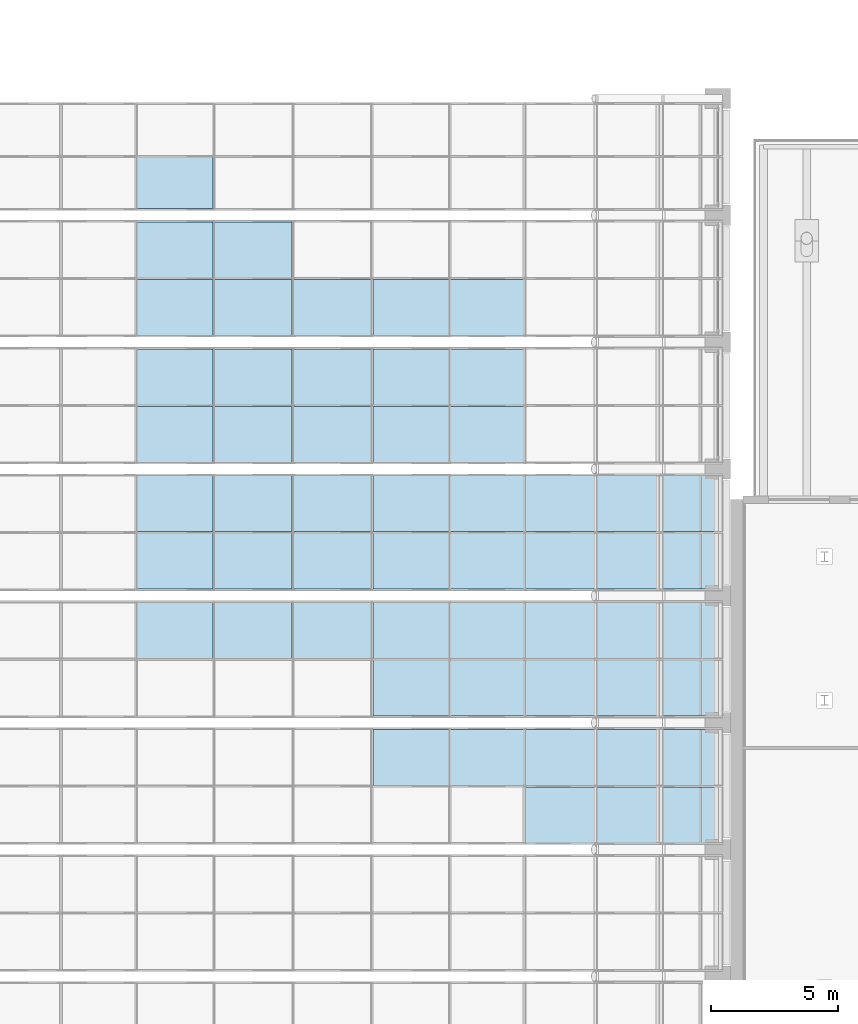
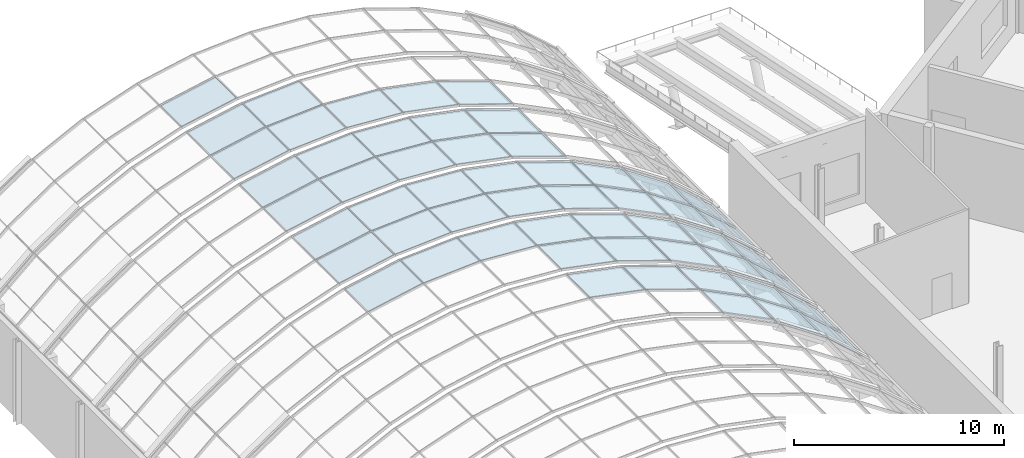
# One storey, part 116 of 182: 55 plates, 6 elements without a shape of their own.
"""IFC4 building model written with IfcOpenShell, lengths in metres."""

from ifc_helpers import new_model, si_unit, direction, frame, origin, place, context, subcontext, project, spatial, polyline, outline, extrude, material, layer, layer_set, type_object, element, aggregate, save


model = new_model("IFC4")

# Units and contexts
model_context = context("Model", 3, precision=1e-05, world=origin(), true_north=direction((0.0, 1.0)))
body_context = subcontext(model_context, "Body", "Model", "MODEL_VIEW")
ifc_project = project(units=[si_unit("LENGTHUNIT", "METRE"), si_unit("AREAUNIT", "SQUARE_METRE"), si_unit("VOLUMEUNIT", "CUBIC_METRE"), si_unit("PLANEANGLEUNIT", "RADIAN"), si_unit("MASSUNIT", "GRAM", prefix="KILO")], contexts=[model_context])

# Site, building, storey
site_placement = place(None, origin())
site = spatial("IfcSite", under=ifc_project, at=site_placement, CompositionType="ELEMENT")
building_placement = place(site_placement, origin())
building = spatial("IfcBuilding", under=site, at=building_placement, Name="Okhra Congress Centre", CompositionType="ELEMENT")
storey_placement = place(building_placement, frame((0.0, 0.0, 7.199951171875)))
storey = spatial("IfcBuildingStorey", under=building, at=storey_placement, Name="L01", CompositionType="ELEMENT", Elevation=7.199951171875)

# Curtain wall, plates
ifc_material_1 = material(Name="Aluminium frame with triple glazing", Category="aluminium")
curtain_wall_type = type_object("IfcCurtainWallType", Name="Glazed vault bay curtain wall", PredefinedType="NOTDEFINED", material=ifc_material_1)
curtain_wall_1_placement = place(storey_placement, origin())
curtain_wall_1 = element("IfcCurtainWall", 1, at=curtain_wall_1_placement, inside=storey, type_object=curtain_wall_type, Name="Vault glazing bay 23", PredefinedType="NOTDEFINED")
ifc_material_2 = material(Name="Laminated toughened glass unit, low-e coating", Category="glass")
ifc_layer_1 = layer(ifc_material_2, 0.035888671875)
ifc_layer_set_1 = layer_set([ifc_layer_1], Name="Laminated safety glazing unit 36 mm")
plate_type_1 = type_object("IfcPlateType", Name="Laminated safety glazing unit 36 mm", PredefinedType="CURTAIN_PANEL", material=ifc_layer_set_1)
plate_1_placement = place(storey_placement, frame((184.217529296875, 186.26318359375, 5.729248046875), z_axis=(0.55946738617, 0.0, 0.82885236551), x_axis=(0.82885236551, 0.0, -0.55946738617)))
plate_1 = element("IfcPlate", 2, at=plate_1_placement, type_object=plate_type_1, Name="Vault glass panel 23.1.11", PredefinedType="CURTAIN_PANEL", context=body_context, shape_type="SweptSolid", body=[
    extrude(outline(polyline([(0.0, 0.0), (3.0668817430899797, 0.0), (3.0668817430899797, 2.206787109375), (0.0, 2.206787109375), (0.0, 0.0)])), origin(), (0.0, 0.0, -1.0), 0.035888671875),
])
plate_2_placement = place(storey_placement, frame((186.806640625, 186.26318359375, 3.976806640625), z_axis=(0.663696509452, 0.0, 0.748001967472), x_axis=(0.748001967472, 0.0, -0.663696509452)))
plate_2 = element("IfcPlate", 3, at=plate_2_placement, type_object=plate_type_1, Name="Vault glass panel 23.1.12", PredefinedType="CURTAIN_PANEL", context=body_context, shape_type="SweptSolid", body=[
    extrude(outline(polyline([(0.0, 0.0), (3.066763741617069, 0.0), (3.066763741617069, 2.206787109375), (0.0, 2.206787109375), (0.0, 0.0)])), origin(), (0.0, 0.0, -1.0), 0.035888671875),
])
plate_3_placement = place(storey_placement, frame((184.217529296875, 188.530029296875, 5.729248046875), z_axis=(0.55946738617, 0.0, 0.82885236551), x_axis=(0.82885236551, 0.0, -0.55946738617)))
plate_3 = element("IfcPlate", 4, at=plate_3_placement, type_object=plate_type_1, Name="Vault glass panel 23.2.11", PredefinedType="CURTAIN_PANEL", context=body_context, shape_type="SweptSolid", body=[
    extrude(outline(polyline([(0.0, 0.0), (3.0668817430899797, 0.0), (3.0668817430899797, 2.206787109375), (0.0, 2.206787109375), (0.0, 0.0)])), origin(), (0.0, 0.0, -1.0), 0.035888671875),
])
plate_4_placement = place(storey_placement, frame((186.806640625, 188.530029296875, 3.976806640625), z_axis=(0.663696509452, 0.0, 0.748001967472), x_axis=(0.748001967472, 0.0, -0.663696509452)))
plate_4 = element("IfcPlate", 5, at=plate_4_placement, type_object=plate_type_1, Name="Vault glass panel 23.2.12", PredefinedType="CURTAIN_PANEL", context=body_context, shape_type="SweptSolid", body=[
    extrude(outline(polyline([(0.0, 0.0), (3.066763741617069, 0.0), (3.066763741617069, 2.206787109375), (0.0, 2.206787109375), (0.0, 0.0)])), origin(), (0.0, 0.0, -1.0), 0.035888671875),
])

curtain_wall_2_placement = place(storey_placement, origin())
curtain_wall_2 = element("IfcCurtainWall", 6, at=curtain_wall_2_placement, inside=storey, type_object=curtain_wall_type, Name="Vault glazing bay 24", PredefinedType="NOTDEFINED")
plate_5_placement = place(storey_placement, frame((184.217529296875, 191.26318359375, 5.729248046875), z_axis=(0.55946738617, 0.0, 0.82885236551), x_axis=(0.82885236551, 0.0, -0.55946738617)))
plate_5 = element("IfcPlate", 7, at=plate_5_placement, type_object=plate_type_1, Name="Vault glass panel 24.1.11", PredefinedType="CURTAIN_PANEL", context=body_context, shape_type="SweptSolid", body=[
    extrude(outline(polyline([(0.0, 0.0), (3.0668817430899797, 0.0), (3.0668817430899797, 2.206787109375), (0.0, 2.206787109375), (0.0, 0.0)])), origin(), (0.0, 0.0, -1.0), 0.035888671875),
])
plate_6_placement = place(storey_placement, frame((186.806640625, 191.26318359375, 3.976806640625), z_axis=(0.663696509452, 0.0, 0.748001967472), x_axis=(0.748001967472, 0.0, -0.663696509452)))
plate_6 = element("IfcPlate", 8, at=plate_6_placement, type_object=plate_type_1, Name="Vault glass panel 24.1.12", PredefinedType="CURTAIN_PANEL", context=body_context, shape_type="SweptSolid", body=[
    extrude(outline(polyline([(0.0, 0.0), (3.066763741617069, 0.0), (3.066763741617069, 2.206787109375), (0.0, 2.206787109375), (0.0, 0.0)])), origin(), (0.0, 0.0, -1.0), 0.035888671875),
])
plate_7_placement = place(storey_placement, frame((184.217529296875, 193.530029296875, 5.729248046875), z_axis=(0.55946738617, 0.0, 0.82885236551), x_axis=(0.82885236551, 0.0, -0.55946738617)))
plate_7 = element("IfcPlate", 9, at=plate_7_placement, type_object=plate_type_1, Name="Vault glass panel 24.2.11", PredefinedType="CURTAIN_PANEL", context=body_context, shape_type="SweptSolid", body=[
    extrude(outline(polyline([(0.0, 0.0), (3.0668817430899797, 0.0), (3.0668817430899797, 2.206787109375), (0.0, 2.206787109375), (0.0, 0.0)])), origin(), (0.0, 0.0, -1.0), 0.035888671875),
])
plate_8_placement = place(storey_placement, frame((186.806640625, 193.530029296875, 3.976806640625), z_axis=(0.663696509452, 0.0, 0.748001967472), x_axis=(0.748001967472, 0.0, -0.663696509452)))
plate_8 = element("IfcPlate", 10, at=plate_8_placement, type_object=plate_type_1, Name="Vault glass panel 24.2.12", PredefinedType="CURTAIN_PANEL", context=body_context, shape_type="SweptSolid", body=[
    extrude(outline(polyline([(0.0, 0.0), (3.066763741617069, 0.0), (3.066763741617069, 2.206787109375), (0.0, 2.206787109375), (0.0, 0.0)])), origin(), (0.0, 0.0, -1.0), 0.035888671875),
])

curtain_wall_3_placement = place(storey_placement, origin())
curtain_wall_3 = element("IfcCurtainWall", 11, at=curtain_wall_3_placement, inside=storey, type_object=curtain_wall_type, Name="Vault glazing bay 25", PredefinedType="NOTDEFINED")
plate_9_placement = place(storey_placement, frame((184.217529296875, 196.26318359375, 5.729248046875), z_axis=(0.55946738617, 0.0, 0.82885236551), x_axis=(0.82885236551, 0.0, -0.55946738617)))
plate_9 = element("IfcPlate", 12, at=plate_9_placement, type_object=plate_type_1, Name="Vault glass panel 25.1.11", PredefinedType="CURTAIN_PANEL", context=body_context, shape_type="SweptSolid", body=[
    extrude(outline(polyline([(0.0, 0.0), (3.0668817430899797, 0.0), (3.0668817430899797, 2.206787109375), (0.0, 2.206787109375), (0.0, 0.0)])), origin(), (0.0, 0.0, -1.0), 0.035888671875),
])
plate_10_placement = place(storey_placement, frame((186.806640625, 196.26318359375, 3.976806640625), z_axis=(0.663696509452, 0.0, 0.748001967472), x_axis=(0.748001967472, 0.0, -0.663696509452)))
plate_10 = element("IfcPlate", 13, at=plate_10_placement, type_object=plate_type_1, Name="Vault glass panel 25.1.12", PredefinedType="CURTAIN_PANEL", context=body_context, shape_type="SweptSolid", body=[
    extrude(outline(polyline([(0.0, 0.0), (3.066763741617069, 0.0), (3.066763741617069, 2.206787109375), (0.0, 2.206787109375), (0.0, 0.0)])), origin(), (0.0, 0.0, -1.0), 0.035888671875),
])
plate_11_placement = place(storey_placement, frame((184.217529296875, 198.530029296875, 5.729248046875), z_axis=(0.55946738617, 0.0, 0.82885236551), x_axis=(0.82885236551, 0.0, -0.55946738617)))
plate_11 = element("IfcPlate", 14, at=plate_11_placement, type_object=plate_type_1, Name="Vault glass panel 25.2.11", PredefinedType="CURTAIN_PANEL", context=body_context, shape_type="SweptSolid", body=[
    extrude(outline(polyline([(0.0, 0.0), (3.0668817430899797, 0.0), (3.0668817430899797, 2.206787109375), (0.0, 2.206787109375), (0.0, 0.0)])), origin(), (0.0, 0.0, -1.0), 0.035888671875),
])
plate_12_placement = place(storey_placement, frame((186.806640625, 198.530029296875, 3.976806640625), z_axis=(0.663696509452, 0.0, 0.748001967472), x_axis=(0.748001967472, 0.0, -0.663696509452)))
plate_12 = element("IfcPlate", 15, at=plate_12_placement, type_object=plate_type_1, Name="Vault glass panel 25.2.12", PredefinedType="CURTAIN_PANEL", context=body_context, shape_type="SweptSolid", body=[
    extrude(outline(polyline([(0.0, 0.0), (3.066763741617069, 0.0), (3.066763741617069, 2.206787109375), (0.0, 2.206787109375), (0.0, 0.0)])), origin(), (0.0, 0.0, -1.0), 0.035888671875),
])

# Plate
ifc_material_3 = material(Name="Toughened triple glazed unit")
ifc_layer_2 = layer(ifc_material_3, 0.028076171875)
ifc_layer_set_2 = layer_set([ifc_layer_2], Name="Triple glazed unit 28 mm")
plate_type_2 = type_object("IfcPlateType", Name="Triple glazed unit 28 mm", PredefinedType="CURTAIN_PANEL", material=ifc_layer_set_2)
plate_13_placement = place(storey_placement, frame((181.4189453125, 186.26318359375, 7.122314453125), z_axis=(0.445588482535, 0.0, 0.895237903706), x_axis=(0.895237903706, 0.0, -0.445588482535)))
plate_13 = element("IfcPlate", 16, at=plate_13_placement, type_object=plate_type_2, Name="Vault glass panel 23.1.10", PredefinedType="CURTAIN_PANEL", context=body_context, shape_type="SweptSolid", body=[
    extrude(outline(polyline([(0.0, 0.0), (3.066082250887193, 0.0), (3.066082250887193, 2.206787109375), (0.0, 2.206787109375), (0.0, 0.0)])), origin(), (0.0, 0.0, -1.0), 0.028076171875),
])

plate_14_placement = place(storey_placement, frame((175.398681640625, 188.530029296875, 8.757080078125), z_axis=(0.196667336174, 0.0, 0.980470274349), x_axis=(0.980470274349, 0.0, -0.196667336174)))
plate_14 = element("IfcPlate", 17, at=plate_14_placement, type_object=plate_type_2, Name="Vault glass panel 23.2.8", PredefinedType="CURTAIN_PANEL", context=body_context, shape_type="SweptSolid", body=[
    extrude(outline(polyline([(0.0, 0.0), (3.0662302926476426, 0.0), (3.0662302926476426, 2.206787109375), (0.0, 2.206787109375), (0.0, 0.0)])), origin(), (0.0, 0.0, -1.0), 0.028076171875),
])

plate_15_placement = place(storey_placement, frame((178.462890625, 188.530029296875, 8.138427734375), z_axis=(0.323909017048, 0.0, 0.946088235143), x_axis=(0.946088235143, 0.0, -0.323909017048)))
plate_15 = element("IfcPlate", 18, at=plate_15_placement, type_object=plate_type_2, Name="Vault glass panel 23.2.9", PredefinedType="CURTAIN_PANEL", context=body_context, shape_type="SweptSolid", body=[
    extrude(outline(polyline([(0.0, 0.0), (3.0661822000278622, 0.0), (3.0661822000278622, 2.2067871093750004), (0.0, 2.2067871093750004), (0.0, 0.0)])), origin(), (0.0, 0.0, -1.0), 0.028076171875),
])

plate_16_placement = place(storey_placement, frame((181.4189453125, 188.530029296875, 7.122314453125), z_axis=(0.445588482535, 0.0, 0.895237903706), x_axis=(0.895237903706, 0.0, -0.445588482535)))
plate_16 = element("IfcPlate", 19, at=plate_16_placement, type_object=plate_type_2, Name="Vault glass panel 23.2.10", PredefinedType="CURTAIN_PANEL", context=body_context, shape_type="SweptSolid", body=[
    extrude(outline(polyline([(0.0, 0.0), (3.066082250887193, 0.0), (3.066082250887193, 2.206787109375), (0.0, 2.206787109375), (0.0, 0.0)])), origin(), (0.0, 0.0, -1.0), 0.028076171875),
])

aggregate(curtain_wall_1, [plate_13, plate_1, plate_2, plate_14, plate_15, plate_16, plate_3, plate_4])

plate_17_placement = place(storey_placement, frame((175.398681640625, 191.26318359375, 8.757080078125), z_axis=(0.196667336174, 0.0, 0.980470274349), x_axis=(0.980470274349, 0.0, -0.196667336174)))
plate_17 = element("IfcPlate", 20, at=plate_17_placement, type_object=plate_type_2, Name="Vault glass panel 24.1.8", PredefinedType="CURTAIN_PANEL", context=body_context, shape_type="SweptSolid", body=[
    extrude(outline(polyline([(0.0, 0.0), (3.0662302926476426, 0.0), (3.0662302926476426, 2.206787109375), (0.0, 2.206787109375), (0.0, 0.0)])), origin(), (0.0, 0.0, -1.0), 0.028076171875),
])

plate_18_placement = place(storey_placement, frame((178.462890625, 191.26318359375, 8.138427734375), z_axis=(0.323909017048, 0.0, 0.946088235143), x_axis=(0.946088235143, 0.0, -0.323909017048)))
plate_18 = element("IfcPlate", 21, at=plate_18_placement, type_object=plate_type_2, Name="Vault glass panel 24.1.9", PredefinedType="CURTAIN_PANEL", context=body_context, shape_type="SweptSolid", body=[
    extrude(outline(polyline([(0.0, 0.0), (3.0661822000278622, 0.0), (3.0661822000278622, 2.2067871093750004), (0.0, 2.2067871093750004), (0.0, 0.0)])), origin(), (0.0, 0.0, -1.0), 0.028076171875),
])

plate_19_placement = place(storey_placement, frame((181.4189453125, 191.26318359375, 7.122314453125), z_axis=(0.445588482535, 0.0, 0.895237903706), x_axis=(0.895237903706, 0.0, -0.445588482535)))
plate_19 = element("IfcPlate", 22, at=plate_19_placement, type_object=plate_type_2, Name="Vault glass panel 24.1.10", PredefinedType="CURTAIN_PANEL", context=body_context, shape_type="SweptSolid", body=[
    extrude(outline(polyline([(0.0, 0.0), (3.066082250887193, 0.0), (3.066082250887193, 2.206787109375), (0.0, 2.206787109375), (0.0, 0.0)])), origin(), (0.0, 0.0, -1.0), 0.028076171875),
])

plate_20_placement = place(storey_placement, frame((166.094970703125, 193.530029296875, 8.154052734375), z_axis=(-0.196667336174, 0.0, 0.980470274349), x_axis=(0.980470274349, 0.0, 0.196667336174)))
plate_20 = element("IfcPlate", 23, at=plate_20_placement, type_object=plate_type_2, Name="Vault glass panel 24.2.5", PredefinedType="CURTAIN_PANEL", context=body_context, shape_type="SweptSolid", body=[
    extrude(outline(polyline([(0.0, 0.0), (3.0662302926476426, 0.0), (3.0662302926476426, 2.206787109375), (0.0, 2.206787109375), (0.0, 0.0)])), origin(), (0.0, 0.0, -1.0), 0.028076171875),
])

plate_21_placement = place(storey_placement, frame((169.16064453125, 193.530029296875, 8.764892578125), z_axis=(-0.065932355807, 0.0, 0.997824094947), x_axis=(0.997824094947, 0.0, 0.065932355807)))
plate_21 = element("IfcPlate", 24, at=plate_21_placement, type_object=plate_type_2, Name="Vault glass panel 24.2.6", PredefinedType="CURTAIN_PANEL", context=body_context, shape_type="SweptSolid", body=[
    extrude(outline(polyline([(0.0, 0.0), (3.0659974913073613, 0.0), (3.0659974913073613, 2.2067871093750004), (0.0, 2.2067871093750004), (0.0, 0.0)])), origin(), (0.0, 0.0, -1.0), 0.028076171875),
])

plate_22_placement = place(storey_placement, frame((172.280029296875, 193.530029296875, 8.967041015625), z_axis=(0.065932355807, 0.0, 0.997824094947), x_axis=(0.997824094947, 0.0, -0.065932355807)))
plate_22 = element("IfcPlate", 25, at=plate_22_placement, type_object=plate_type_2, Name="Vault glass panel 24.2.7", PredefinedType="CURTAIN_PANEL", context=body_context, shape_type="SweptSolid", body=[
    extrude(outline(polyline([(0.0, 0.0), (3.0659974913073613, 0.0), (3.0659974913073613, 2.2067871093750004), (0.0, 2.2067871093750004), (0.0, 0.0)])), origin(), (0.0, 0.0, -1.0), 0.028076171875),
])

plate_23_placement = place(storey_placement, frame((175.398681640625, 193.530029296875, 8.757080078125), z_axis=(0.196667336174, 0.0, 0.980470274349), x_axis=(0.980470274349, 0.0, -0.196667336174)))
plate_23 = element("IfcPlate", 26, at=plate_23_placement, type_object=plate_type_2, Name="Vault glass panel 24.2.8", PredefinedType="CURTAIN_PANEL", context=body_context, shape_type="SweptSolid", body=[
    extrude(outline(polyline([(0.0, 0.0), (3.0662302926476426, 0.0), (3.0662302926476426, 2.206787109375), (0.0, 2.206787109375), (0.0, 0.0)])), origin(), (0.0, 0.0, -1.0), 0.028076171875),
])

plate_24_placement = place(storey_placement, frame((178.462890625, 193.530029296875, 8.138427734375), z_axis=(0.323909017048, 0.0, 0.946088235143), x_axis=(0.946088235143, 0.0, -0.323909017048)))
plate_24 = element("IfcPlate", 27, at=plate_24_placement, type_object=plate_type_2, Name="Vault glass panel 24.2.9", PredefinedType="CURTAIN_PANEL", context=body_context, shape_type="SweptSolid", body=[
    extrude(outline(polyline([(0.0, 0.0), (3.0661822000278622, 0.0), (3.0661822000278622, 2.2067871093750004), (0.0, 2.2067871093750004), (0.0, 0.0)])), origin(), (0.0, 0.0, -1.0), 0.028076171875),
])

plate_25_placement = place(storey_placement, frame((181.4189453125, 193.530029296875, 7.122314453125), z_axis=(0.445588482535, 0.0, 0.895237903706), x_axis=(0.895237903706, 0.0, -0.445588482535)))
plate_25 = element("IfcPlate", 28, at=plate_25_placement, type_object=plate_type_2, Name="Vault glass panel 24.2.10", PredefinedType="CURTAIN_PANEL", context=body_context, shape_type="SweptSolid", body=[
    extrude(outline(polyline([(0.0, 0.0), (3.066082250887193, 0.0), (3.066082250887193, 2.206787109375), (0.0, 2.206787109375), (0.0, 0.0)])), origin(), (0.0, 0.0, -1.0), 0.028076171875),
])

aggregate(curtain_wall_2, [plate_17, plate_18, plate_19, plate_5, plate_6, plate_20, plate_21, plate_22, plate_23, plate_24, plate_25, plate_7, plate_8])

plate_26_placement = place(storey_placement, frame((166.094970703125, 196.26318359375, 8.154052734375), z_axis=(-0.196667336174, 0.0, 0.980470274349), x_axis=(0.980470274349, 0.0, 0.196667336174)))
plate_26 = element("IfcPlate", 29, at=plate_26_placement, type_object=plate_type_2, Name="Vault glass panel 25.1.5", PredefinedType="CURTAIN_PANEL", context=body_context, shape_type="SweptSolid", body=[
    extrude(outline(polyline([(0.0, 0.0), (3.0662302926476426, 0.0), (3.0662302926476426, 2.206787109375), (0.0, 2.206787109375), (0.0, 0.0)])), origin(), (0.0, 0.0, -1.0), 0.028076171875),
])

plate_27_placement = place(storey_placement, frame((169.16064453125, 196.26318359375, 8.764892578125), z_axis=(-0.065932355807, 0.0, 0.997824094947), x_axis=(0.997824094947, 0.0, 0.065932355807)))
plate_27 = element("IfcPlate", 30, at=plate_27_placement, type_object=plate_type_2, Name="Vault glass panel 25.1.6", PredefinedType="CURTAIN_PANEL", context=body_context, shape_type="SweptSolid", body=[
    extrude(outline(polyline([(0.0, 0.0), (3.0659974913073613, 0.0), (3.0659974913073613, 2.2067871093750004), (0.0, 2.2067871093750004), (0.0, 0.0)])), origin(), (0.0, 0.0, -1.0), 0.028076171875),
])

plate_28_placement = place(storey_placement, frame((172.280029296875, 196.26318359375, 8.967041015625), z_axis=(0.065932355807, 0.0, 0.997824094947), x_axis=(0.997824094947, 0.0, -0.065932355807)))
plate_28 = element("IfcPlate", 31, at=plate_28_placement, type_object=plate_type_2, Name="Vault glass panel 25.1.7", PredefinedType="CURTAIN_PANEL", context=body_context, shape_type="SweptSolid", body=[
    extrude(outline(polyline([(0.0, 0.0), (3.0659974913073613, 0.0), (3.0659974913073613, 2.2067871093750004), (0.0, 2.2067871093750004), (0.0, 0.0)])), origin(), (0.0, 0.0, -1.0), 0.028076171875),
])

plate_29_placement = place(storey_placement, frame((175.398681640625, 196.26318359375, 8.757080078125), z_axis=(0.196667336174, 0.0, 0.980470274349), x_axis=(0.980470274349, 0.0, -0.196667336174)))
plate_29 = element("IfcPlate", 32, at=plate_29_placement, type_object=plate_type_2, Name="Vault glass panel 25.1.8", PredefinedType="CURTAIN_PANEL", context=body_context, shape_type="SweptSolid", body=[
    extrude(outline(polyline([(0.0, 0.0), (3.0662302926476426, 0.0), (3.0662302926476426, 2.206787109375), (0.0, 2.206787109375), (0.0, 0.0)])), origin(), (0.0, 0.0, -1.0), 0.028076171875),
])

plate_30_placement = place(storey_placement, frame((178.462890625, 196.26318359375, 8.138427734375), z_axis=(0.323909017048, 0.0, 0.946088235143), x_axis=(0.946088235143, 0.0, -0.323909017048)))
plate_30 = element("IfcPlate", 33, at=plate_30_placement, type_object=plate_type_2, Name="Vault glass panel 25.1.9", PredefinedType="CURTAIN_PANEL", context=body_context, shape_type="SweptSolid", body=[
    extrude(outline(polyline([(0.0, 0.0), (3.0661822000278622, 0.0), (3.0661822000278622, 2.2067871093750004), (0.0, 2.2067871093750004), (0.0, 0.0)])), origin(), (0.0, 0.0, -1.0), 0.028076171875),
])

plate_31_placement = place(storey_placement, frame((181.4189453125, 196.26318359375, 7.122314453125), z_axis=(0.445588482535, 0.0, 0.895237903706), x_axis=(0.895237903706, 0.0, -0.445588482535)))
plate_31 = element("IfcPlate", 34, at=plate_31_placement, type_object=plate_type_2, Name="Vault glass panel 25.1.10", PredefinedType="CURTAIN_PANEL", context=body_context, shape_type="SweptSolid", body=[
    extrude(outline(polyline([(0.0, 0.0), (3.066082250887193, 0.0), (3.066082250887193, 2.206787109375), (0.0, 2.206787109375), (0.0, 0.0)])), origin(), (0.0, 0.0, -1.0), 0.028076171875),
])

plate_32_placement = place(storey_placement, frame((166.094970703125, 198.530029296875, 8.154052734375), z_axis=(-0.196667336174, 0.0, 0.980470274349), x_axis=(0.980470274349, 0.0, 0.196667336174)))
plate_32 = element("IfcPlate", 35, at=plate_32_placement, type_object=plate_type_2, Name="Vault glass panel 25.2.5", PredefinedType="CURTAIN_PANEL", context=body_context, shape_type="SweptSolid", body=[
    extrude(outline(polyline([(0.0, 0.0), (3.0662302926476426, 0.0), (3.0662302926476426, 2.206787109375), (0.0, 2.206787109375), (0.0, 0.0)])), origin(), (0.0, 0.0, -1.0), 0.028076171875),
])

plate_33_placement = place(storey_placement, frame((169.16064453125, 198.530029296875, 8.764892578125), z_axis=(-0.065932355807, 0.0, 0.997824094947), x_axis=(0.997824094947, 0.0, 0.065932355807)))
plate_33 = element("IfcPlate", 36, at=plate_33_placement, type_object=plate_type_2, Name="Vault glass panel 25.2.6", PredefinedType="CURTAIN_PANEL", context=body_context, shape_type="SweptSolid", body=[
    extrude(outline(polyline([(0.0, 0.0), (3.0659974913073613, 0.0), (3.0659974913073613, 2.2067871093750004), (0.0, 2.2067871093750004), (0.0, 0.0)])), origin(), (0.0, 0.0, -1.0), 0.028076171875),
])

plate_34_placement = place(storey_placement, frame((172.280029296875, 198.530029296875, 8.967041015625), z_axis=(0.065932355807, 0.0, 0.997824094947), x_axis=(0.997824094947, 0.0, -0.065932355807)))
plate_34 = element("IfcPlate", 37, at=plate_34_placement, type_object=plate_type_2, Name="Vault glass panel 25.2.7", PredefinedType="CURTAIN_PANEL", context=body_context, shape_type="SweptSolid", body=[
    extrude(outline(polyline([(0.0, 0.0), (3.0659974913073613, 0.0), (3.0659974913073613, 2.2067871093750004), (0.0, 2.2067871093750004), (0.0, 0.0)])), origin(), (0.0, 0.0, -1.0), 0.028076171875),
])

plate_35_placement = place(storey_placement, frame((175.398681640625, 198.530029296875, 8.757080078125), z_axis=(0.196667336174, 0.0, 0.980470274349), x_axis=(0.980470274349, 0.0, -0.196667336174)))
plate_35 = element("IfcPlate", 38, at=plate_35_placement, type_object=plate_type_2, Name="Vault glass panel 25.2.8", PredefinedType="CURTAIN_PANEL", context=body_context, shape_type="SweptSolid", body=[
    extrude(outline(polyline([(0.0, 0.0), (3.0662302926476426, 0.0), (3.0662302926476426, 2.206787109375), (0.0, 2.206787109375), (0.0, 0.0)])), origin(), (0.0, 0.0, -1.0), 0.028076171875),
])

plate_36_placement = place(storey_placement, frame((178.462890625, 198.530029296875, 8.138427734375), z_axis=(0.323909017048, 0.0, 0.946088235143), x_axis=(0.946088235143, 0.0, -0.323909017048)))
plate_36 = element("IfcPlate", 39, at=plate_36_placement, type_object=plate_type_2, Name="Vault glass panel 25.2.9", PredefinedType="CURTAIN_PANEL", context=body_context, shape_type="SweptSolid", body=[
    extrude(outline(polyline([(0.0, 0.0), (3.0661822000278622, 0.0), (3.0661822000278622, 2.2067871093750004), (0.0, 2.2067871093750004), (0.0, 0.0)])), origin(), (0.0, 0.0, -1.0), 0.028076171875),
])

plate_37_placement = place(storey_placement, frame((181.4189453125, 198.530029296875, 7.122314453125), z_axis=(0.445588482535, 0.0, 0.895237903706), x_axis=(0.895237903706, 0.0, -0.445588482535)))
plate_37 = element("IfcPlate", 40, at=plate_37_placement, type_object=plate_type_2, Name="Vault glass panel 25.2.10", PredefinedType="CURTAIN_PANEL", context=body_context, shape_type="SweptSolid", body=[
    extrude(outline(polyline([(0.0, 0.0), (3.066082250887193, 0.0), (3.066082250887193, 2.206787109375), (0.0, 2.206787109375), (0.0, 0.0)])), origin(), (0.0, 0.0, -1.0), 0.028076171875),
])

aggregate(curtain_wall_3, [plate_26, plate_27, plate_28, plate_29, plate_30, plate_31, plate_9, plate_10, plate_32, plate_33, plate_34, plate_35, plate_36, plate_37, plate_11, plate_12])

# Curtain wall, plates
curtain_wall_4_placement = place(storey_placement, origin())
curtain_wall_4 = element("IfcCurtainWall", 41, at=curtain_wall_4_placement, inside=storey, type_object=curtain_wall_type, Name="Vault glazing bay 26", PredefinedType="NOTDEFINED")
plate_38_placement = place(storey_placement, frame((166.094970703125, 201.26318359375, 8.154052734375), z_axis=(-0.196667336174, 0.0, 0.980470274349), x_axis=(0.980470274349, 0.0, 0.196667336174)))
plate_38 = element("IfcPlate", 42, at=plate_38_placement, type_object=plate_type_2, Name="Vault glass panel 26.1.5", PredefinedType="CURTAIN_PANEL", context=body_context, shape_type="SweptSolid", body=[
    extrude(outline(polyline([(0.0, 0.0), (3.0662302926476426, 0.0), (3.0662302926476426, 2.206787109375), (0.0, 2.206787109375), (0.0, 0.0)])), origin(), (0.0, 0.0, -1.0), 0.028076171875),
])
plate_39_placement = place(storey_placement, frame((169.16064453125, 201.26318359375, 8.764892578125), z_axis=(-0.065932355807, 0.0, 0.997824094947), x_axis=(0.997824094947, 0.0, 0.065932355807)))
plate_39 = element("IfcPlate", 43, at=plate_39_placement, type_object=plate_type_2, Name="Vault glass panel 26.1.6", PredefinedType="CURTAIN_PANEL", context=body_context, shape_type="SweptSolid", body=[
    extrude(outline(polyline([(0.0, 0.0), (3.0659974913073613, 0.0), (3.0659974913073613, 2.2067871093750004), (0.0, 2.2067871093750004), (0.0, 0.0)])), origin(), (0.0, 0.0, -1.0), 0.028076171875),
])
plate_40_placement = place(storey_placement, frame((172.280029296875, 201.26318359375, 8.967041015625), z_axis=(0.065932355807, 0.0, 0.997824094947), x_axis=(0.997824094947, 0.0, -0.065932355807)))
plate_40 = element("IfcPlate", 44, at=plate_40_placement, type_object=plate_type_2, Name="Vault glass panel 26.1.7", PredefinedType="CURTAIN_PANEL", context=body_context, shape_type="SweptSolid", body=[
    extrude(outline(polyline([(0.0, 0.0), (3.0659974913073613, 0.0), (3.0659974913073613, 2.2067871093750004), (0.0, 2.2067871093750004), (0.0, 0.0)])), origin(), (0.0, 0.0, -1.0), 0.028076171875),
])
plate_41_placement = place(storey_placement, frame((175.398681640625, 201.26318359375, 8.757080078125), z_axis=(0.196667336174, 0.0, 0.980470274349), x_axis=(0.980470274349, 0.0, -0.196667336174)))
plate_41 = element("IfcPlate", 45, at=plate_41_placement, type_object=plate_type_2, Name="Vault glass panel 26.1.8", PredefinedType="CURTAIN_PANEL", context=body_context, shape_type="SweptSolid", body=[
    extrude(outline(polyline([(0.0, 0.0), (3.0662302926476426, 0.0), (3.0662302926476426, 2.206787109375), (0.0, 2.206787109375), (0.0, 0.0)])), origin(), (0.0, 0.0, -1.0), 0.028076171875),
])
plate_42_placement = place(storey_placement, frame((178.462890625, 201.26318359375, 8.138427734375), z_axis=(0.323909017048, 0.0, 0.946088235143), x_axis=(0.946088235143, 0.0, -0.323909017048)))
plate_42 = element("IfcPlate", 46, at=plate_42_placement, type_object=plate_type_2, Name="Vault glass panel 26.1.9", PredefinedType="CURTAIN_PANEL", context=body_context, shape_type="SweptSolid", body=[
    extrude(outline(polyline([(0.0, 0.0), (3.0661822000278622, 0.0), (3.0661822000278622, 2.2067871093750004), (0.0, 2.2067871093750004), (0.0, 0.0)])), origin(), (0.0, 0.0, -1.0), 0.028076171875),
])
plate_43_placement = place(storey_placement, frame((166.094970703125, 203.530029296875, 8.154052734375), z_axis=(-0.196667336174, 0.0, 0.980470274349), x_axis=(0.980470274349, 0.0, 0.196667336174)))
plate_43 = element("IfcPlate", 47, at=plate_43_placement, type_object=plate_type_2, Name="Vault glass panel 26.2.5", PredefinedType="CURTAIN_PANEL", context=body_context, shape_type="SweptSolid", body=[
    extrude(outline(polyline([(0.0, 0.0), (3.0662302926476426, 0.0), (3.0662302926476426, 2.206787109375), (0.0, 2.206787109375), (0.0, 0.0)])), origin(), (0.0, 0.0, -1.0), 0.028076171875),
])
plate_44_placement = place(storey_placement, frame((169.16064453125, 203.530029296875, 8.764892578125), z_axis=(-0.065932355807, 0.0, 0.997824094947), x_axis=(0.997824094947, 0.0, 0.065932355807)))
plate_44 = element("IfcPlate", 48, at=plate_44_placement, type_object=plate_type_2, Name="Vault glass panel 26.2.6", PredefinedType="CURTAIN_PANEL", context=body_context, shape_type="SweptSolid", body=[
    extrude(outline(polyline([(0.0, 0.0), (3.0659974913073613, 0.0), (3.0659974913073613, 2.2067871093750004), (0.0, 2.2067871093750004), (0.0, 0.0)])), origin(), (0.0, 0.0, -1.0), 0.028076171875),
])
plate_45_placement = place(storey_placement, frame((172.280029296875, 203.530029296875, 8.967041015625), z_axis=(0.065932355807, 0.0, 0.997824094947), x_axis=(0.997824094947, 0.0, -0.065932355807)))
plate_45 = element("IfcPlate", 49, at=plate_45_placement, type_object=plate_type_2, Name="Vault glass panel 26.2.7", PredefinedType="CURTAIN_PANEL", context=body_context, shape_type="SweptSolid", body=[
    extrude(outline(polyline([(0.0, 0.0), (3.0659974913073613, 0.0), (3.0659974913073613, 2.2067871093750004), (0.0, 2.2067871093750004), (0.0, 0.0)])), origin(), (0.0, 0.0, -1.0), 0.028076171875),
])
plate_46_placement = place(storey_placement, frame((175.398681640625, 203.530029296875, 8.757080078125), z_axis=(0.196667336174, 0.0, 0.980470274349), x_axis=(0.980470274349, 0.0, -0.196667336174)))
plate_46 = element("IfcPlate", 50, at=plate_46_placement, type_object=plate_type_2, Name="Vault glass panel 26.2.8", PredefinedType="CURTAIN_PANEL", context=body_context, shape_type="SweptSolid", body=[
    extrude(outline(polyline([(0.0, 0.0), (3.0662302926476426, 0.0), (3.0662302926476426, 2.206787109375), (0.0, 2.206787109375), (0.0, 0.0)])), origin(), (0.0, 0.0, -1.0), 0.028076171875),
])
plate_47_placement = place(storey_placement, frame((178.462890625, 203.530029296875, 8.138427734375), z_axis=(0.323909017048, 0.0, 0.946088235143), x_axis=(0.946088235143, 0.0, -0.323909017048)))
plate_47 = element("IfcPlate", 51, at=plate_47_placement, type_object=plate_type_2, Name="Vault glass panel 26.2.9", PredefinedType="CURTAIN_PANEL", context=body_context, shape_type="SweptSolid", body=[
    extrude(outline(polyline([(0.0, 0.0), (3.0661822000278622, 0.0), (3.0661822000278622, 2.2067871093750004), (0.0, 2.2067871093750004), (0.0, 0.0)])), origin(), (0.0, 0.0, -1.0), 0.028076171875),
])
aggregate(curtain_wall_4, [plate_38, plate_39, plate_40, plate_41, plate_42, plate_43, plate_44, plate_45, plate_46, plate_47])

curtain_wall_5_placement = place(storey_placement, origin())
curtain_wall_5 = element("IfcCurtainWall", 52, at=curtain_wall_5_placement, inside=storey, type_object=curtain_wall_type, Name="Vault glazing bay 27", PredefinedType="NOTDEFINED")
plate_48_placement = place(storey_placement, frame((166.094970703125, 206.26318359375, 8.154052734375), z_axis=(-0.196667336174, 0.0, 0.980470274349), x_axis=(0.980470274349, 0.0, 0.196667336174)))
plate_48 = element("IfcPlate", 53, at=plate_48_placement, type_object=plate_type_2, Name="Vault glass panel 27.1.5", PredefinedType="CURTAIN_PANEL", context=body_context, shape_type="SweptSolid", body=[
    extrude(outline(polyline([(0.0, 0.0), (3.0662302926476426, 0.0), (3.0662302926476426, 2.206787109375), (0.0, 2.206787109375), (0.0, 0.0)])), origin(), (0.0, 0.0, -1.0), 0.028076171875),
])
plate_49_placement = place(storey_placement, frame((169.16064453125, 206.26318359375, 8.764892578125), z_axis=(-0.065932355807, 0.0, 0.997824094947), x_axis=(0.997824094947, 0.0, 0.065932355807)))
plate_49 = element("IfcPlate", 54, at=plate_49_placement, type_object=plate_type_2, Name="Vault glass panel 27.1.6", PredefinedType="CURTAIN_PANEL", context=body_context, shape_type="SweptSolid", body=[
    extrude(outline(polyline([(0.0, 0.0), (3.0659974913073613, 0.0), (3.0659974913073613, 2.2067871093750004), (0.0, 2.2067871093750004), (0.0, 0.0)])), origin(), (0.0, 0.0, -1.0), 0.028076171875),
])
plate_50_placement = place(storey_placement, frame((172.280029296875, 206.26318359375, 8.967041015625), z_axis=(0.065932355807, 0.0, 0.997824094947), x_axis=(0.997824094947, 0.0, -0.065932355807)))
plate_50 = element("IfcPlate", 55, at=plate_50_placement, type_object=plate_type_2, Name="Vault glass panel 27.1.7", PredefinedType="CURTAIN_PANEL", context=body_context, shape_type="SweptSolid", body=[
    extrude(outline(polyline([(0.0, 0.0), (3.0659974913073613, 0.0), (3.0659974913073613, 2.2067871093750004), (0.0, 2.2067871093750004), (0.0, 0.0)])), origin(), (0.0, 0.0, -1.0), 0.028076171875),
])
plate_51_placement = place(storey_placement, frame((175.398681640625, 206.26318359375, 8.757080078125), z_axis=(0.196667336174, 0.0, 0.980470274349), x_axis=(0.980470274349, 0.0, -0.196667336174)))
plate_51 = element("IfcPlate", 56, at=plate_51_placement, type_object=plate_type_2, Name="Vault glass panel 27.1.8", PredefinedType="CURTAIN_PANEL", context=body_context, shape_type="SweptSolid", body=[
    extrude(outline(polyline([(0.0, 0.0), (3.0662302926476426, 0.0), (3.0662302926476426, 2.206787109375), (0.0, 2.206787109375), (0.0, 0.0)])), origin(), (0.0, 0.0, -1.0), 0.028076171875),
])
plate_52_placement = place(storey_placement, frame((178.462890625, 206.26318359375, 8.138427734375), z_axis=(0.323909017048, 0.0, 0.946088235143), x_axis=(0.946088235143, 0.0, -0.323909017048)))
plate_52 = element("IfcPlate", 57, at=plate_52_placement, type_object=plate_type_2, Name="Vault glass panel 27.1.9", PredefinedType="CURTAIN_PANEL", context=body_context, shape_type="SweptSolid", body=[
    extrude(outline(polyline([(0.0, 0.0), (3.0661822000278622, 0.0), (3.0661822000278622, 2.2067871093750004), (0.0, 2.2067871093750004), (0.0, 0.0)])), origin(), (0.0, 0.0, -1.0), 0.028076171875),
])
plate_53_placement = place(storey_placement, frame((166.094970703125, 208.530029296875, 8.154052734375), z_axis=(-0.196667336174, 0.0, 0.980470274349), x_axis=(0.980470274349, 0.0, 0.196667336174)))
plate_53 = element("IfcPlate", 58, at=plate_53_placement, type_object=plate_type_2, Name="Vault glass panel 27.2.5", PredefinedType="CURTAIN_PANEL", context=body_context, shape_type="SweptSolid", body=[
    extrude(outline(polyline([(0.0, 0.0), (3.0662302926476426, 0.0), (3.0662302926476426, 2.206787109375), (0.0, 2.206787109375), (0.0, 0.0)])), origin(), (0.0, 0.0, -1.0), 0.028076171875),
])
plate_54_placement = place(storey_placement, frame((169.16064453125, 208.530029296875, 8.764892578125), z_axis=(-0.065932355807, 0.0, 0.997824094947), x_axis=(0.997824094947, 0.0, 0.065932355807)))
plate_54 = element("IfcPlate", 59, at=plate_54_placement, type_object=plate_type_2, Name="Vault glass panel 27.2.6", PredefinedType="CURTAIN_PANEL", context=body_context, shape_type="SweptSolid", body=[
    extrude(outline(polyline([(0.0, 0.0), (3.0659974913073613, 0.0), (3.0659974913073613, 2.2067871093750004), (0.0, 2.2067871093750004), (0.0, 0.0)])), origin(), (0.0, 0.0, -1.0), 0.028076171875),
])
aggregate(curtain_wall_5, [plate_48, plate_49, plate_50, plate_51, plate_52, plate_53, plate_54])

# Curtain wall, plate
curtain_wall_6_placement = place(storey_placement, origin())
curtain_wall_6 = element("IfcCurtainWall", 60, at=curtain_wall_6_placement, inside=storey, type_object=curtain_wall_type, Name="Vault glazing bay 28", PredefinedType="NOTDEFINED")
plate_55_placement = place(storey_placement, frame((166.094970703125, 211.26318359375, 8.154052734375), z_axis=(-0.196667336174, 0.0, 0.980470274349), x_axis=(0.980470274349, 0.0, 0.196667336174)))
plate_55 = element("IfcPlate", 61, at=plate_55_placement, type_object=plate_type_2, Name="Vault glass panel 28.1.5", PredefinedType="CURTAIN_PANEL", context=body_context, shape_type="SweptSolid", body=[
    extrude(outline(polyline([(0.0, 0.0), (3.0662302926476426, 0.0), (3.0662302926476426, 2.02734375), (0.0, 2.02734375), (0.0, 0.0)])), origin(), (0.0, 0.0, -1.0), 0.028076171875),
])
aggregate(curtain_wall_6, [plate_55])

save(model, "model.ifc")
